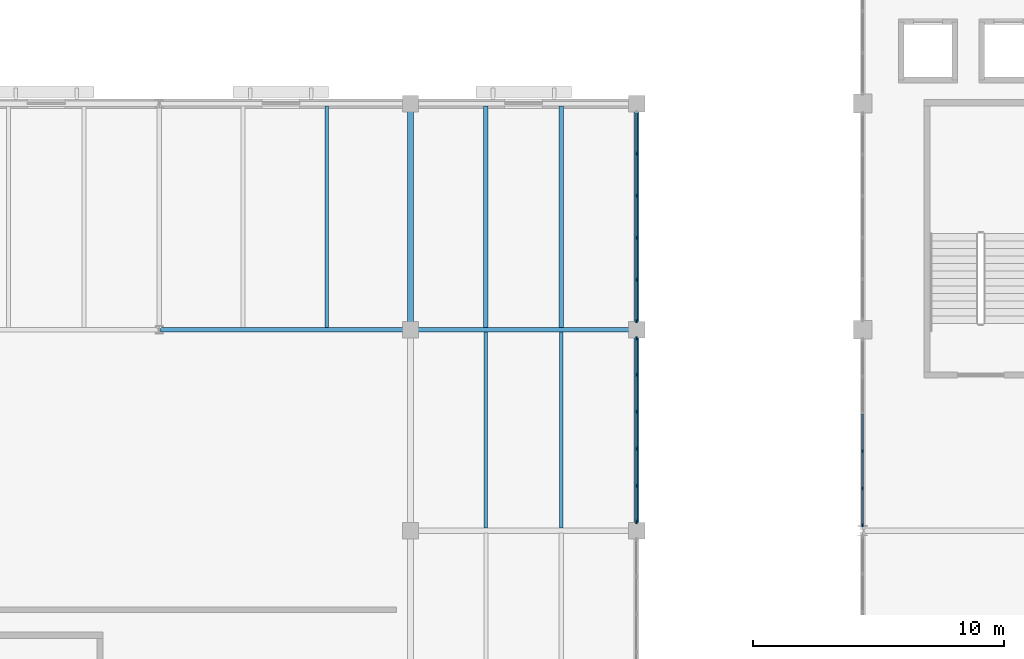
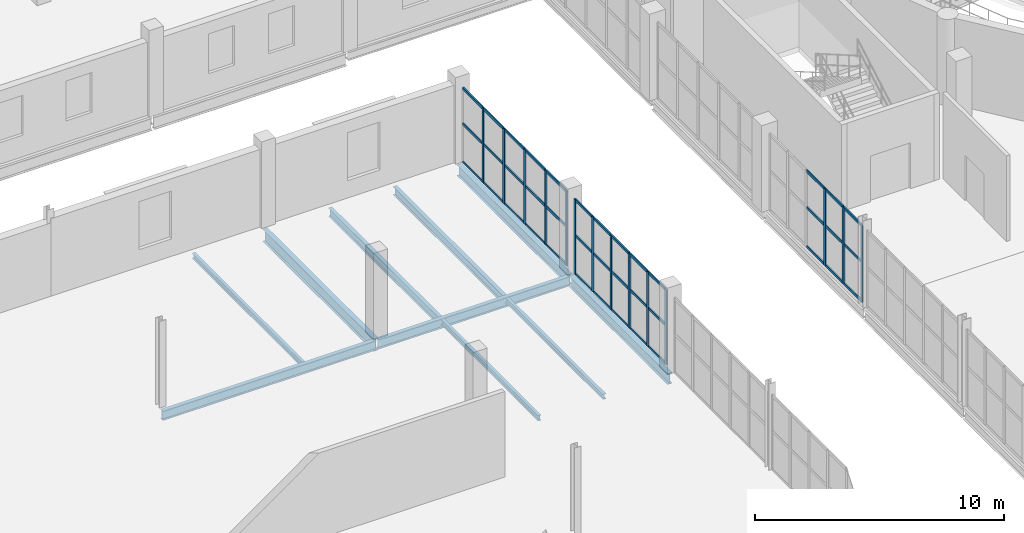
# One storey, part 23 of 85: 53 members, 10 beams, 3 elements without a shape of their own.
"""IFC4 building model written with IfcOpenShell, lengths in metres."""

from ifc_helpers import new_model, si_unit, direction, frame, origin, origin_2d, place, context, subcontext, project, spatial, rectangle, i_section, extrude, material, layer, layer_set, material_profile, profile_set, type_object, element, aggregate, save


model = new_model("IFC4")

# Units and contexts
model_context = context("Model", 3, precision=1e-05, world=origin(), true_north=direction((0.0, 1.0)))
body_context = subcontext(model_context, "Body", "Model", "MODEL_VIEW")
ifc_project = project(units=[si_unit("LENGTHUNIT", "METRE"), si_unit("AREAUNIT", "SQUARE_METRE"), si_unit("VOLUMEUNIT", "CUBIC_METRE"), si_unit("PLANEANGLEUNIT", "RADIAN"), si_unit("MASSUNIT", "GRAM", prefix="KILO")], contexts=[model_context])

# Site, building, storey
site_placement = place(None, origin())
site = spatial("IfcSite", under=ifc_project, at=site_placement, CompositionType="ELEMENT")
building_placement = place(site_placement, origin())
building = spatial("IfcBuilding", under=site, at=building_placement, Name="Marnock Terrace Opera House", CompositionType="ELEMENT")
storey_placement = place(building_placement, frame((0.0, 0.0, 10.199951171875)))
storey = spatial("IfcBuildingStorey", under=building, at=storey_placement, Name="L02", CompositionType="ELEMENT", Elevation=10.199951171875)

# Beams
ifc_material_1 = material(Name="Steel Grade 350 (AS/NZS 3679.1)", Category="steel")
ifc_material_profile_1 = material_profile(ifc_material_1, i_section(OverallWidth=0.19091796875, OverallDepth=0.46044921875, WebThickness=0.010009765625, FlangeThickness=0.01611328125, FilletRadius=0.011474609375, at=origin_2d()))
ifc_profile_set_1 = profile_set([ifc_material_profile_1], Name="Steel Grade 350 (AS/NZS 3679.1)")
beam_type_1 = type_object("IfcBeamType", Name="BM-GIRD-460A", PredefinedType="BEAM", material=ifc_profile_set_1)
beam_1_placement = place(storey_placement, frame((27.050048828125, 48.0, -0.490234375), z_axis=(1.0, 0.0, 0.0), x_axis=(0.0, 1.0, 0.0)))
element("IfcBeam", 1, at=beam_1_placement, inside=storey, type_object=beam_type_1, Name="L02 girder (27.0..37.0, Y=48.0)", PredefinedType="BEAM", context=body_context, shape_type="SweptSolid", body=[
    extrude(i_section(OverallWidth=0.19091796875, OverallDepth=0.46044921875, WebThickness=0.010009765625, FlangeThickness=0.01611328125, FilletRadius=0.011474609375, at=origin_2d()), origin(), (0.0, 0.0, 1.0), 9.89990234375),
])
beam_2_placement = place(storey_placement, frame((37.050048828125, 48.0, -0.490234375), z_axis=(1.0, 0.0, 0.0), x_axis=(0.0, 1.0, 0.0)))
element("IfcBeam", 2, at=beam_2_placement, inside=storey, type_object=beam_type_1, Name="L02 girder (37.0..46.0, Y=48.0)", PredefinedType="BEAM", context=body_context, shape_type="SweptSolid", body=[
    extrude(i_section(OverallWidth=0.19091796875, OverallDepth=0.46044921875, WebThickness=0.010009765625, FlangeThickness=0.01611328125, FilletRadius=0.011474609375, at=origin_2d()), origin(), (0.0, 0.0, 1.0), 8.89990234375),
])
ifc_material_profile_2 = material_profile(ifc_material_1, i_section(OverallWidth=0.208984375, OverallDepth=0.528076171875, WebThickness=0.009521484375, FlangeThickness=0.01318359375, FilletRadius=0.013916015625, at=origin_2d()))
ifc_profile_set_2 = profile_set([ifc_material_profile_2], Name="Steel Grade 350 (AS/NZS 3679.1)")
beam_type_2 = type_object("IfcBeamType", Name="BM-GIRD-530B", PredefinedType="BEAM", material=ifc_profile_set_2)
beam_3_placement = place(storey_placement, frame((46.0, 40.050048828125, -0.52392578125), z_axis=(0.0, 1.0, 0.0), x_axis=(-1.0, 0.0, 0.0)))
element("IfcBeam", 3, at=beam_3_placement, inside=storey, type_object=beam_type_2, Name="L02 girder (X=46.0, 40.0..48.0)", PredefinedType="BEAM", context=body_context, shape_type="SweptSolid", body=[
    extrude(i_section(OverallWidth=0.208984375, OverallDepth=0.528076171875, WebThickness=0.009521484375, FlangeThickness=0.01318359375, FilletRadius=0.013916015625, at=origin_2d()), origin(), (0.0, 0.0, 1.0), 7.89990234375),
])
beam_4_placement = place(storey_placement, frame((46.0, 48.050048828125, -0.52392578125), z_axis=(0.0, 1.0, 0.0), x_axis=(-1.0, 0.0, 0.0)))
element("IfcBeam", 4, at=beam_4_placement, inside=storey, type_object=beam_type_2, Name="L02 girder (X=46.0, 48.0..57.0)", PredefinedType="BEAM", context=body_context, shape_type="SweptSolid", body=[
    extrude(i_section(OverallWidth=0.208984375, OverallDepth=0.528076171875, WebThickness=0.009521484375, FlangeThickness=0.01318359375, FilletRadius=0.013916015625, at=origin_2d()), origin(), (0.0, 0.0, 1.0), 8.89990234375),
])
ifc_material_profile_3 = material_profile(ifc_material_1, i_section(OverallWidth=0.22802734375, OverallDepth=0.60205078125, WebThickness=0.010498046875, FlangeThickness=0.014892578125, FilletRadius=0.013916015625, at=origin_2d()))
ifc_profile_set_3 = profile_set([ifc_material_profile_3], Name="Steel Grade 350 (AS/NZS 3679.1)")
beam_type_3 = type_object("IfcBeamType", Name="BM-GIRD-610C", PredefinedType="BEAM", material=ifc_profile_set_3)
beam_5_placement = place(storey_placement, frame((37.0, 48.050048828125, -0.56103515625), z_axis=(0.0, 1.0, 0.0), x_axis=(-1.0, 0.0, 0.0)))
element("IfcBeam", 5, at=beam_5_placement, inside=storey, type_object=beam_type_3, Name="L02 girder (X=37.0, 48.0..57.0)", PredefinedType="BEAM", context=body_context, shape_type="SweptSolid", body=[
    extrude(i_section(OverallWidth=0.22802734375, OverallDepth=0.60205078125, WebThickness=0.010498046875, FlangeThickness=0.014892578125, FilletRadius=0.013916015625, at=origin_2d()), origin(), (0.0, 0.0, 1.0), 8.89990234375),
])
ifc_material_profile_4 = material_profile(ifc_material_1, i_section(OverallWidth=0.14599609375, OverallDepth=0.256103515625, WebThickness=0.00634765625, FlangeThickness=0.010986328125, FilletRadius=0.0087890625, at=origin_2d()))
ifc_profile_set_4 = profile_set([ifc_material_profile_4], Name="Steel Grade 350 (AS/NZS 3679.1)")
beam_type_4 = type_object("IfcBeamType", Name="BM-JOIST-250", PredefinedType="JOIST", material=ifc_profile_set_4)
beam_6_placement = place(storey_placement, frame((33.666748046875, 48.090576171875, -0.387939453125), z_axis=(0.0, 1.0, 0.0), x_axis=(-1.0, 0.0, 0.0)))
element("IfcBeam", 6, at=beam_6_placement, inside=storey, type_object=beam_type_4, Name="L02 secondary joist 3.6.2", PredefinedType="JOIST", context=body_context, shape_type="SweptSolid", body=[
    extrude(i_section(OverallWidth=0.14599609375, OverallDepth=0.256103515625, WebThickness=0.00634765625, FlangeThickness=0.010986328125, FilletRadius=0.0087890625, at=origin_2d()), origin(), (0.0, 0.0, 1.0), 8.825439453125),
])
for number, where, z_axis, x_axis, name in (
    (7, (40.0, 40.099609375, -0.387939453125), (0.0, 1.0, 0.0), (-1.0, 0.0, 0.0), "L02 secondary joist 4.5.1"),
    (8, (43.0, 40.099609375, -0.387939453125), (0.0, 1.0, 0.0), (-1.0, 0.0, 0.0), "L02 secondary joist 4.5.2"),
):
    element("IfcBeam", number, at=place(storey_placement, frame(where, z_axis=z_axis, x_axis=x_axis)), inside=storey, type_object=beam_type_4, Name=name, PredefinedType="JOIST", context=body_context, shape_type="SweptSolid", body=[
        extrude(i_section(OverallWidth=0.14599609375, OverallDepth=0.256103515625, WebThickness=0.00634765625, FlangeThickness=0.010986328125, FilletRadius=0.0087890625, at=origin_2d()), origin(), (0.0, 0.0, 1.0), 7.809814453125),
    ])
ifc_material_profile_5 = material_profile(ifc_material_1, i_section(OverallWidth=0.177978515625, OverallDepth=0.406494140625, WebThickness=0.0078125, FlangeThickness=0.0126953125, FilletRadius=0.011474609375, at=origin_2d()))
ifc_profile_set_5 = profile_set([ifc_material_profile_5], Name="Steel Grade 350 (AS/NZS 3679.1)")
beam_type_5 = type_object("IfcBeamType", Name="BM-JOIST-410", PredefinedType="JOIST", material=ifc_profile_set_5)
for number, where, z_axis, x_axis, name in (
    (9, (40.0, 48.090576171875, -0.463134765625), (0.0, 1.0, 0.0), (-1.0, 0.0, 0.0), "L02 secondary joist 4.6.1"),
    (10, (43.0, 48.090576171875, -0.463134765625), (0.0, 1.0, 0.0), (-1.0, 0.0, 0.0), "L02 secondary joist 4.6.2"),
):
    element("IfcBeam", number, at=place(storey_placement, frame(where, z_axis=z_axis, x_axis=x_axis)), inside=storey, type_object=beam_type_5, Name=name, PredefinedType="JOIST", context=body_context, shape_type="SweptSolid", body=[
        extrude(i_section(OverallWidth=0.177978515625, OverallDepth=0.406494140625, WebThickness=0.0078125, FlangeThickness=0.0126953125, FilletRadius=0.011474609375, at=origin_2d()), origin(), (0.0, 0.0, 1.0), 8.825439453125),
    ])

# Curtain wall, members
ifc_material_2 = material(Name="Anodised architectural bronze aluminium framing", Category="aluminium")
ifc_layer_1 = layer(ifc_material_2, 0.159912109375)
ifc_layer_set_1 = layer_set([ifc_layer_1], Name="Anodised architectural bronze aluminium framing")
curtain_wall_type_1 = type_object("IfcCurtainWallType", Name="CW-FOYER-80x42", PredefinedType="NOTDEFINED", material=ifc_layer_set_1)
curtain_wall_1_placement = place(storey_placement, origin())
curtain_wall_1 = element("IfcCurtainWall", 11, at=curtain_wall_1_placement, inside=storey, type_object=curtain_wall_type_1, Name="L02 glazed Beaux-Arts colonnade curtain wall CW-V1W-L02-05", PredefinedType="NOTDEFINED")
ifc_material_profile_6 = material_profile(ifc_material_2, rectangle(XDim=0.06005859375, YDim=0.14990234375, at=origin_2d()))
ifc_profile_set_6 = profile_set([ifc_material_profile_6], Name="Anodised architectural bronze aluminium framing")
member_type_1 = type_object("IfcMemberType", Name="CWM-60x150", PredefinedType="MULLION", material=ifc_profile_set_6)
member_1_placement = place(storey_placement, frame((55.0, 40.22607421875, 0.0), z_axis=(0.0, 0.0, 1.0), x_axis=(-1.0, 0.0, 0.0)))
member_1 = element("IfcMember", 12, at=member_1_placement, type_object=member_type_1, Name="CW-62 mullion 1", PredefinedType="MULLION", context=body_context, shape_type="SweptSolid", body=[
    extrude(rectangle(XDim=0.06005859375, YDim=0.14990234375, at=origin_2d()), origin(), (0.0, 0.0, 1.0), 3.752685546875),
])
member_2_placement = place(storey_placement, frame((55.0, 41.6826171875, 0.0), z_axis=(0.0, 0.0, 1.0), x_axis=(-1.0, 0.0, 0.0)))
member_2 = element("IfcMember", 13, at=member_2_placement, type_object=member_type_1, Name="CW-62 mullion 2", PredefinedType="MULLION", context=body_context, shape_type="SweptSolid", body=[
    extrude(rectangle(XDim=0.06005859375, YDim=0.14990234375, at=origin_2d()), origin(), (0.0, 0.0, 1.0), 3.752685546875),
])
member_3_placement = place(storey_placement, frame((55.0, 43.169189453125, 0.0), z_axis=(0.0, 0.0, 1.0), x_axis=(-1.0, 0.0, 0.0)))
member_3 = element("IfcMember", 14, at=member_3_placement, type_object=member_type_1, Name="CW-62 mullion 3", PredefinedType="MULLION", context=body_context, shape_type="SweptSolid", body=[
    extrude(rectangle(XDim=0.06005859375, YDim=0.14990234375, at=origin_2d()), origin(), (0.0, 0.0, 1.0), 3.752685546875),
])

ifc_layer_2 = layer(ifc_material_2, 0.159912109375)
ifc_layer_set_2 = layer_set([ifc_layer_2], Name="Anodised architectural bronze aluminium framing")
curtain_wall_type_2 = type_object("IfcCurtainWallType", Name="CW-COURT-80x42", PredefinedType="NOTDEFINED", material=ifc_layer_set_2)
curtain_wall_2_placement = place(storey_placement, origin())
curtain_wall_2 = element("IfcCurtainWall", 15, at=curtain_wall_2_placement, inside=storey, type_object=curtain_wall_type_2, Name="L02 glazed Beaux-Arts colonnade curtain wall CW-V3E-L02-05", PredefinedType="NOTDEFINED")
member_4_placement = place(storey_placement, frame((46.0, 40.35107421875, 0.0), z_axis=(0.0, 0.0, 1.0), x_axis=(-1.0, 0.0, 0.0)))
member_4 = element("IfcMember", 16, at=member_4_placement, type_object=member_type_1, Name="CW-12 mullion 1", PredefinedType="MULLION", context=body_context, shape_type="SweptSolid", body=[
    extrude(rectangle(XDim=0.06005859375, YDim=0.14990234375, at=origin_2d()), origin(), (0.0, 0.0, 1.0), 3.672119140625),
])
member_5_placement = place(storey_placement, frame((46.0, 41.79248046875, 0.0), z_axis=(0.0, 0.0, 1.0), x_axis=(-1.0, 0.0, 0.0)))
member_5 = element("IfcMember", 17, at=member_5_placement, type_object=member_type_1, Name="CW-12 mullion 2", PredefinedType="MULLION", context=body_context, shape_type="SweptSolid", body=[
    extrude(rectangle(XDim=0.06005859375, YDim=0.14990234375, at=origin_2d()), origin(), (0.0, 0.0, 1.0), 3.672119140625),
])
member_6_placement = place(storey_placement, frame((46.0, 43.26416015625, 0.0), z_axis=(0.0, 0.0, 1.0), x_axis=(-1.0, 0.0, 0.0)))
member_6 = element("IfcMember", 18, at=member_6_placement, type_object=member_type_1, Name="CW-12 mullion 3", PredefinedType="MULLION", context=body_context, shape_type="SweptSolid", body=[
    extrude(rectangle(XDim=0.06005859375, YDim=0.14990234375, at=origin_2d()), origin(), (0.0, 0.0, 1.0), 3.672119140625),
])
member_7_placement = place(storey_placement, frame((46.0, 44.73583984375, 0.0), z_axis=(0.0, 0.0, 1.0), x_axis=(-1.0, 0.0, 0.0)))
member_7 = element("IfcMember", 19, at=member_7_placement, type_object=member_type_1, Name="CW-12 mullion 4", PredefinedType="MULLION", context=body_context, shape_type="SweptSolid", body=[
    extrude(rectangle(XDim=0.06005859375, YDim=0.14990234375, at=origin_2d()), origin(), (0.0, 0.0, 1.0), 3.672119140625),
])
member_8_placement = place(storey_placement, frame((46.0, 46.20751953125, 0.0), z_axis=(0.0, 0.0, 1.0), x_axis=(-1.0, 0.0, 0.0)))
member_8 = element("IfcMember", 20, at=member_8_placement, type_object=member_type_1, Name="CW-12 mullion 5", PredefinedType="MULLION", context=body_context, shape_type="SweptSolid", body=[
    extrude(rectangle(XDim=0.06005859375, YDim=0.14990234375, at=origin_2d()), origin(), (0.0, 0.0, 1.0), 3.672119140625),
])
member_9_placement = place(storey_placement, frame((46.0, 47.64892578125, 0.0), z_axis=(0.0, 0.0, 1.0), x_axis=(-1.0, 0.0, 0.0)))
member_9 = element("IfcMember", 21, at=member_9_placement, type_object=member_type_1, Name="CW-12 mullion 6", PredefinedType="MULLION", context=body_context, shape_type="SweptSolid", body=[
    extrude(rectangle(XDim=0.06005859375, YDim=0.14990234375, at=origin_2d()), origin(), (0.0, 0.0, 1.0), 3.672119140625),
])

curtain_wall_3_placement = place(storey_placement, origin())
curtain_wall_3 = element("IfcCurtainWall", 22, at=curtain_wall_3_placement, inside=storey, type_object=curtain_wall_type_2, Name="L02 glazed Beaux-Arts colonnade curtain wall CW-V3E-L02-06", PredefinedType="NOTDEFINED")
member_10_placement = place(storey_placement, frame((46.0, 48.35107421875, 0.0), z_axis=(0.0, 0.0, 1.0), x_axis=(-1.0, 0.0, 0.0)))
member_10 = element("IfcMember", 23, at=member_10_placement, type_object=member_type_1, Name="CW-12 mullion 1", PredefinedType="MULLION", context=body_context, shape_type="SweptSolid", body=[
    extrude(rectangle(XDim=0.06005859375, YDim=0.14990234375, at=origin_2d()), origin(), (0.0, 0.0, 1.0), 3.672119140625),
])
member_11_placement = place(storey_placement, frame((46.0, 49.99267578125, 0.0), z_axis=(0.0, 0.0, 1.0), x_axis=(-1.0, 0.0, 0.0)))
member_11 = element("IfcMember", 24, at=member_11_placement, type_object=member_type_1, Name="CW-12 mullion 2", PredefinedType="MULLION", context=body_context, shape_type="SweptSolid", body=[
    extrude(rectangle(XDim=0.06005859375, YDim=0.14990234375, at=origin_2d()), origin(), (0.0, 0.0, 1.0), 3.672119140625),
])
member_12_placement = place(storey_placement, frame((46.0, 51.664306640625, 0.0), z_axis=(0.0, 0.0, 1.0), x_axis=(-1.0, 0.0, 0.0)))
member_12 = element("IfcMember", 25, at=member_12_placement, type_object=member_type_1, Name="CW-12 mullion 3", PredefinedType="MULLION", context=body_context, shape_type="SweptSolid", body=[
    extrude(rectangle(XDim=0.06005859375, YDim=0.14990234375, at=origin_2d()), origin(), (0.0, 0.0, 1.0), 3.672119140625),
])
member_13_placement = place(storey_placement, frame((46.0, 53.335693359375, 0.0), z_axis=(0.0, 0.0, 1.0), x_axis=(-1.0, 0.0, 0.0)))
member_13 = element("IfcMember", 26, at=member_13_placement, type_object=member_type_1, Name="CW-12 mullion 4", PredefinedType="MULLION", context=body_context, shape_type="SweptSolid", body=[
    extrude(rectangle(XDim=0.06005859375, YDim=0.14990234375, at=origin_2d()), origin(), (0.0, 0.0, 1.0), 3.672119140625),
])
member_14_placement = place(storey_placement, frame((46.0, 55.00732421875, 0.0), z_axis=(0.0, 0.0, 1.0), x_axis=(-1.0, 0.0, 0.0)))
member_14 = element("IfcMember", 27, at=member_14_placement, type_object=member_type_1, Name="CW-12 mullion 5", PredefinedType="MULLION", context=body_context, shape_type="SweptSolid", body=[
    extrude(rectangle(XDim=0.06005859375, YDim=0.14990234375, at=origin_2d()), origin(), (0.0, 0.0, 1.0), 3.672119140625),
])

# Member
ifc_material_profile_7 = material_profile(ifc_material_2, rectangle(XDim=0.06005859375, YDim=0.1298828125, at=origin_2d()))
ifc_profile_set_7 = profile_set([ifc_material_profile_7], Name="Anodised architectural bronze aluminium framing")
member_type_2 = type_object("IfcMemberType", Name="CWT-60x130", PredefinedType="USERDEFINED", material=ifc_profile_set_7)
member_15_placement = place(storey_placement, frame((55.0, 40.256103515625, 0.030029296875), z_axis=(0.0, 1.0, 0.0), x_axis=(-1.0, 0.0, 0.0)))
member_15 = element("IfcMember", 28, at=member_15_placement, type_object=member_type_2, Name="CW-62 transom 1.1", ObjectType="TRANSOM", PredefinedType="USERDEFINED", context=body_context, shape_type="SweptSolid", body=[
    extrude(rectangle(XDim=0.06005859375, YDim=0.1298828125, at=origin_2d()), origin(), (0.0, 0.0, 1.0), 1.396484375),
])

member_16_placement = place(storey_placement, frame((55.0, 40.256103515625, 1.951416015625), z_axis=(0.0, 1.0, 0.0), x_axis=(-1.0, 0.0, 0.0)))
member_16 = element("IfcMember", 29, at=member_16_placement, type_object=member_type_2, Name="CW-62 transom 1.2", ObjectType="TRANSOM", PredefinedType="USERDEFINED", context=body_context, shape_type="SweptSolid", body=[
    extrude(rectangle(XDim=0.06005859375, YDim=0.1298828125, at=origin_2d()), origin(), (0.0, 0.0, 1.0), 1.396484375),
])

member_17_placement = place(storey_placement, frame((55.0, 40.256103515625, 3.72265625), z_axis=(0.0, 1.0, 0.0), x_axis=(-1.0, 0.0, 0.0)))
member_17 = element("IfcMember", 30, at=member_17_placement, type_object=member_type_2, Name="CW-62 transom 1.3", ObjectType="TRANSOM", PredefinedType="USERDEFINED", context=body_context, shape_type="SweptSolid", body=[
    extrude(rectangle(XDim=0.06005859375, YDim=0.1298828125, at=origin_2d()), origin(), (0.0, 0.0, 1.0), 1.396484375),
])

member_18_placement = place(storey_placement, frame((55.0, 41.712646484375, 0.030029296875), z_axis=(0.0, 1.0, 0.0), x_axis=(-1.0, 0.0, 0.0)))
member_18 = element("IfcMember", 31, at=member_18_placement, type_object=member_type_2, Name="CW-62 transom 2.1", ObjectType="TRANSOM", PredefinedType="USERDEFINED", context=body_context, shape_type="SweptSolid", body=[
    extrude(rectangle(XDim=0.06005859375, YDim=0.1298828125, at=origin_2d()), origin(), (0.0, 0.0, 1.0), 1.426513671875),
])

member_19_placement = place(storey_placement, frame((55.0, 41.712646484375, 1.951416015625), z_axis=(0.0, 1.0, 0.0), x_axis=(-1.0, 0.0, 0.0)))
member_19 = element("IfcMember", 32, at=member_19_placement, type_object=member_type_2, Name="CW-62 transom 2.2", ObjectType="TRANSOM", PredefinedType="USERDEFINED", context=body_context, shape_type="SweptSolid", body=[
    extrude(rectangle(XDim=0.06005859375, YDim=0.1298828125, at=origin_2d()), origin(), (0.0, 0.0, 1.0), 1.426513671875),
])

member_20_placement = place(storey_placement, frame((55.0, 41.712646484375, 3.72265625), z_axis=(0.0, 1.0, 0.0), x_axis=(-1.0, 0.0, 0.0)))
member_20 = element("IfcMember", 33, at=member_20_placement, type_object=member_type_2, Name="CW-62 transom 2.3", ObjectType="TRANSOM", PredefinedType="USERDEFINED", context=body_context, shape_type="SweptSolid", body=[
    extrude(rectangle(XDim=0.06005859375, YDim=0.1298828125, at=origin_2d()), origin(), (0.0, 0.0, 1.0), 1.426513671875),
])

member_21_placement = place(storey_placement, frame((55.0, 43.19921875, 0.030029296875), z_axis=(0.0, 1.0, 0.0), x_axis=(-1.0, 0.0, 0.0)))
member_21 = element("IfcMember", 34, at=member_21_placement, type_object=member_type_2, Name="CW-62 transom 3.1", ObjectType="TRANSOM", PredefinedType="USERDEFINED", context=body_context, shape_type="SweptSolid", body=[
    extrude(rectangle(XDim=0.06005859375, YDim=0.1298828125, at=origin_2d()), origin(), (0.0, 0.0, 1.0), 1.426513671875),
])

member_22_placement = place(storey_placement, frame((55.0, 43.19921875, 1.951416015625), z_axis=(0.0, 1.0, 0.0), x_axis=(-1.0, 0.0, 0.0)))
member_22 = element("IfcMember", 35, at=member_22_placement, type_object=member_type_2, Name="CW-62 transom 3.2", ObjectType="TRANSOM", PredefinedType="USERDEFINED", context=body_context, shape_type="SweptSolid", body=[
    extrude(rectangle(XDim=0.06005859375, YDim=0.1298828125, at=origin_2d()), origin(), (0.0, 0.0, 1.0), 1.426513671875),
])

member_23_placement = place(storey_placement, frame((55.0, 43.19921875, 3.72265625), z_axis=(0.0, 1.0, 0.0), x_axis=(-1.0, 0.0, 0.0)))
member_23 = element("IfcMember", 36, at=member_23_placement, type_object=member_type_2, Name="CW-62 transom 3.3", ObjectType="TRANSOM", PredefinedType="USERDEFINED", context=body_context, shape_type="SweptSolid", body=[
    extrude(rectangle(XDim=0.06005859375, YDim=0.1298828125, at=origin_2d()), origin(), (0.0, 0.0, 1.0), 1.426513671875),
])

aggregate(curtain_wall_1, [member_1, member_2, member_3, member_15, member_16, member_17, member_18, member_19, member_20, member_21, member_22, member_23])

member_24_placement = place(storey_placement, frame((46.0, 40.381103515625, 0.030029296875), z_axis=(0.0, 1.0, 0.0), x_axis=(-1.0, 0.0, 0.0)))
member_24 = element("IfcMember", 37, at=member_24_placement, type_object=member_type_2, Name="CW-12 transom 1.1", ObjectType="TRANSOM", PredefinedType="USERDEFINED", context=body_context, shape_type="SweptSolid", body=[
    extrude(rectangle(XDim=0.06005859375, YDim=0.1298828125, at=origin_2d()), origin(), (0.0, 0.0, 1.0), 1.381591796875),
])

member_25_placement = place(storey_placement, frame((46.0, 40.381103515625, 1.909423828125), z_axis=(0.0, 1.0, 0.0), x_axis=(-1.0, 0.0, 0.0)))
member_25 = element("IfcMember", 38, at=member_25_placement, type_object=member_type_2, Name="CW-12 transom 1.2", ObjectType="TRANSOM", PredefinedType="USERDEFINED", context=body_context, shape_type="SweptSolid", body=[
    extrude(rectangle(XDim=0.06005859375, YDim=0.1298828125, at=origin_2d()), origin(), (0.0, 0.0, 1.0), 1.381591796875),
])

member_26_placement = place(storey_placement, frame((46.0, 40.381103515625, 3.64208984375), z_axis=(0.0, 1.0, 0.0), x_axis=(-1.0, 0.0, 0.0)))
member_26 = element("IfcMember", 39, at=member_26_placement, type_object=member_type_2, Name="CW-12 transom 1.3", ObjectType="TRANSOM", PredefinedType="USERDEFINED", context=body_context, shape_type="SweptSolid", body=[
    extrude(rectangle(XDim=0.06005859375, YDim=0.1298828125, at=origin_2d()), origin(), (0.0, 0.0, 1.0), 1.381591796875),
])

member_27_placement = place(storey_placement, frame((46.0, 41.822509765625, 0.030029296875), z_axis=(0.0, 1.0, 0.0), x_axis=(-1.0, 0.0, 0.0)))
member_27 = element("IfcMember", 40, at=member_27_placement, type_object=member_type_2, Name="CW-12 transom 2.1", ObjectType="TRANSOM", PredefinedType="USERDEFINED", context=body_context, shape_type="SweptSolid", body=[
    extrude(rectangle(XDim=0.06005859375, YDim=0.1298828125, at=origin_2d()), origin(), (0.0, 0.0, 1.0), 1.41162109375),
])

member_28_placement = place(storey_placement, frame((46.0, 41.822509765625, 1.909423828125), z_axis=(0.0, 1.0, 0.0), x_axis=(-1.0, 0.0, 0.0)))
member_28 = element("IfcMember", 41, at=member_28_placement, type_object=member_type_2, Name="CW-12 transom 2.2", ObjectType="TRANSOM", PredefinedType="USERDEFINED", context=body_context, shape_type="SweptSolid", body=[
    extrude(rectangle(XDim=0.06005859375, YDim=0.1298828125, at=origin_2d()), origin(), (0.0, 0.0, 1.0), 1.41162109375),
])

member_29_placement = place(storey_placement, frame((46.0, 41.822509765625, 3.64208984375), z_axis=(0.0, 1.0, 0.0), x_axis=(-1.0, 0.0, 0.0)))
member_29 = element("IfcMember", 42, at=member_29_placement, type_object=member_type_2, Name="CW-12 transom 2.3", ObjectType="TRANSOM", PredefinedType="USERDEFINED", context=body_context, shape_type="SweptSolid", body=[
    extrude(rectangle(XDim=0.06005859375, YDim=0.1298828125, at=origin_2d()), origin(), (0.0, 0.0, 1.0), 1.41162109375),
])

member_30_placement = place(storey_placement, frame((46.0, 43.294189453125, 0.030029296875), z_axis=(0.0, 1.0, 0.0), x_axis=(-1.0, 0.0, 0.0)))
member_30 = element("IfcMember", 43, at=member_30_placement, type_object=member_type_2, Name="CW-12 transom 3.1", ObjectType="TRANSOM", PredefinedType="USERDEFINED", context=body_context, shape_type="SweptSolid", body=[
    extrude(rectangle(XDim=0.06005859375, YDim=0.1298828125, at=origin_2d()), origin(), (0.0, 0.0, 1.0), 1.41162109375),
])

member_31_placement = place(storey_placement, frame((46.0, 43.294189453125, 1.909423828125), z_axis=(0.0, 1.0, 0.0), x_axis=(-1.0, 0.0, 0.0)))
member_31 = element("IfcMember", 44, at=member_31_placement, type_object=member_type_2, Name="CW-12 transom 3.2", ObjectType="TRANSOM", PredefinedType="USERDEFINED", context=body_context, shape_type="SweptSolid", body=[
    extrude(rectangle(XDim=0.06005859375, YDim=0.1298828125, at=origin_2d()), origin(), (0.0, 0.0, 1.0), 1.41162109375),
])

member_32_placement = place(storey_placement, frame((46.0, 43.294189453125, 3.64208984375), z_axis=(0.0, 1.0, 0.0), x_axis=(-1.0, 0.0, 0.0)))
member_32 = element("IfcMember", 45, at=member_32_placement, type_object=member_type_2, Name="CW-12 transom 3.3", ObjectType="TRANSOM", PredefinedType="USERDEFINED", context=body_context, shape_type="SweptSolid", body=[
    extrude(rectangle(XDim=0.06005859375, YDim=0.1298828125, at=origin_2d()), origin(), (0.0, 0.0, 1.0), 1.41162109375),
])

member_33_placement = place(storey_placement, frame((46.0, 44.765869140625, 0.030029296875), z_axis=(0.0, 1.0, 0.0), x_axis=(-1.0, 0.0, 0.0)))
member_33 = element("IfcMember", 46, at=member_33_placement, type_object=member_type_2, Name="CW-12 transom 4.1", ObjectType="TRANSOM", PredefinedType="USERDEFINED", context=body_context, shape_type="SweptSolid", body=[
    extrude(rectangle(XDim=0.06005859375, YDim=0.1298828125, at=origin_2d()), origin(), (0.0, 0.0, 1.0), 1.41162109375),
])

member_34_placement = place(storey_placement, frame((46.0, 44.765869140625, 1.909423828125), z_axis=(0.0, 1.0, 0.0), x_axis=(-1.0, 0.0, 0.0)))
member_34 = element("IfcMember", 47, at=member_34_placement, type_object=member_type_2, Name="CW-12 transom 4.2", ObjectType="TRANSOM", PredefinedType="USERDEFINED", context=body_context, shape_type="SweptSolid", body=[
    extrude(rectangle(XDim=0.06005859375, YDim=0.1298828125, at=origin_2d()), origin(), (0.0, 0.0, 1.0), 1.41162109375),
])

member_35_placement = place(storey_placement, frame((46.0, 44.765869140625, 3.64208984375), z_axis=(0.0, 1.0, 0.0), x_axis=(-1.0, 0.0, 0.0)))
member_35 = element("IfcMember", 48, at=member_35_placement, type_object=member_type_2, Name="CW-12 transom 4.3", ObjectType="TRANSOM", PredefinedType="USERDEFINED", context=body_context, shape_type="SweptSolid", body=[
    extrude(rectangle(XDim=0.06005859375, YDim=0.1298828125, at=origin_2d()), origin(), (0.0, 0.0, 1.0), 1.41162109375),
])

member_36_placement = place(storey_placement, frame((46.0, 46.2373046875, 0.030029296875), z_axis=(0.0, 1.0, 0.0), x_axis=(-1.0, 0.0, 0.0)))
member_36 = element("IfcMember", 49, at=member_36_placement, type_object=member_type_2, Name="CW-12 transom 5.1", ObjectType="TRANSOM", PredefinedType="USERDEFINED", context=body_context, shape_type="SweptSolid", body=[
    extrude(rectangle(XDim=0.06005859375, YDim=0.1298828125, at=origin_2d()), origin(), (0.0, 0.0, 1.0), 1.381591796875),
])

member_37_placement = place(storey_placement, frame((46.0, 46.2373046875, 1.909423828125), z_axis=(0.0, 1.0, 0.0), x_axis=(-1.0, 0.0, 0.0)))
member_37 = element("IfcMember", 50, at=member_37_placement, type_object=member_type_2, Name="CW-12 transom 5.2", ObjectType="TRANSOM", PredefinedType="USERDEFINED", context=body_context, shape_type="SweptSolid", body=[
    extrude(rectangle(XDim=0.06005859375, YDim=0.1298828125, at=origin_2d()), origin(), (0.0, 0.0, 1.0), 1.381591796875),
])

member_38_placement = place(storey_placement, frame((46.0, 46.2373046875, 3.64208984375), z_axis=(0.0, 1.0, 0.0), x_axis=(-1.0, 0.0, 0.0)))
member_38 = element("IfcMember", 51, at=member_38_placement, type_object=member_type_2, Name="CW-12 transom 5.3", ObjectType="TRANSOM", PredefinedType="USERDEFINED", context=body_context, shape_type="SweptSolid", body=[
    extrude(rectangle(XDim=0.06005859375, YDim=0.1298828125, at=origin_2d()), origin(), (0.0, 0.0, 1.0), 1.381591796875),
])

aggregate(curtain_wall_2, [member_4, member_5, member_6, member_7, member_8, member_9, member_24, member_25, member_26, member_27, member_28, member_29, member_30, member_31, member_32, member_33, member_34, member_35, member_36, member_37, member_38])

member_39_placement = place(storey_placement, frame((46.0, 48.381103515625, 0.030029296875), z_axis=(0.0, 1.0, 0.0), x_axis=(-1.0, 0.0, 0.0)))
member_39 = element("IfcMember", 52, at=member_39_placement, type_object=member_type_2, Name="CW-12 transom 1.1", ObjectType="TRANSOM", PredefinedType="USERDEFINED", context=body_context, shape_type="SweptSolid", body=[
    extrude(rectangle(XDim=0.06005859375, YDim=0.1298828125, at=origin_2d()), origin(), (0.0, 0.0, 1.0), 1.58154296875),
])

member_40_placement = place(storey_placement, frame((46.0, 48.381103515625, 1.909423828125), z_axis=(0.0, 1.0, 0.0), x_axis=(-1.0, 0.0, 0.0)))
member_40 = element("IfcMember", 53, at=member_40_placement, type_object=member_type_2, Name="CW-12 transom 1.2", ObjectType="TRANSOM", PredefinedType="USERDEFINED", context=body_context, shape_type="SweptSolid", body=[
    extrude(rectangle(XDim=0.06005859375, YDim=0.1298828125, at=origin_2d()), origin(), (0.0, 0.0, 1.0), 1.58154296875),
])

member_41_placement = place(storey_placement, frame((46.0, 48.381103515625, 3.64208984375), z_axis=(0.0, 1.0, 0.0), x_axis=(-1.0, 0.0, 0.0)))
member_41 = element("IfcMember", 54, at=member_41_placement, type_object=member_type_2, Name="CW-12 transom 1.3", ObjectType="TRANSOM", PredefinedType="USERDEFINED", context=body_context, shape_type="SweptSolid", body=[
    extrude(rectangle(XDim=0.06005859375, YDim=0.1298828125, at=origin_2d()), origin(), (0.0, 0.0, 1.0), 1.58154296875),
])

member_42_placement = place(storey_placement, frame((46.0, 50.022705078125, 0.030029296875), z_axis=(0.0, 1.0, 0.0), x_axis=(-1.0, 0.0, 0.0)))
member_42 = element("IfcMember", 55, at=member_42_placement, type_object=member_type_2, Name="CW-12 transom 2.1", ObjectType="TRANSOM", PredefinedType="USERDEFINED", context=body_context, shape_type="SweptSolid", body=[
    extrude(rectangle(XDim=0.06005859375, YDim=0.1298828125, at=origin_2d()), origin(), (0.0, 0.0, 1.0), 1.611572265625),
])

member_43_placement = place(storey_placement, frame((46.0, 50.022705078125, 1.909423828125), z_axis=(0.0, 1.0, 0.0), x_axis=(-1.0, 0.0, 0.0)))
member_43 = element("IfcMember", 56, at=member_43_placement, type_object=member_type_2, Name="CW-12 transom 2.2", ObjectType="TRANSOM", PredefinedType="USERDEFINED", context=body_context, shape_type="SweptSolid", body=[
    extrude(rectangle(XDim=0.06005859375, YDim=0.1298828125, at=origin_2d()), origin(), (0.0, 0.0, 1.0), 1.611572265625),
])

member_44_placement = place(storey_placement, frame((46.0, 50.022705078125, 3.64208984375), z_axis=(0.0, 1.0, 0.0), x_axis=(-1.0, 0.0, 0.0)))
member_44 = element("IfcMember", 57, at=member_44_placement, type_object=member_type_2, Name="CW-12 transom 2.3", ObjectType="TRANSOM", PredefinedType="USERDEFINED", context=body_context, shape_type="SweptSolid", body=[
    extrude(rectangle(XDim=0.06005859375, YDim=0.1298828125, at=origin_2d()), origin(), (0.0, 0.0, 1.0), 1.611572265625),
])

member_45_placement = place(storey_placement, frame((46.0, 51.694091796875, 0.030029296875), z_axis=(0.0, 1.0, 0.0), x_axis=(-1.0, 0.0, 0.0)))
member_45 = element("IfcMember", 58, at=member_45_placement, type_object=member_type_2, Name="CW-12 transom 3.1", ObjectType="TRANSOM", PredefinedType="USERDEFINED", context=body_context, shape_type="SweptSolid", body=[
    extrude(rectangle(XDim=0.06005859375, YDim=0.1298828125, at=origin_2d()), origin(), (0.0, 0.0, 1.0), 1.61181640625),
])

member_46_placement = place(storey_placement, frame((46.0, 51.694091796875, 1.909423828125), z_axis=(0.0, 1.0, 0.0), x_axis=(-1.0, 0.0, 0.0)))
member_46 = element("IfcMember", 59, at=member_46_placement, type_object=member_type_2, Name="CW-12 transom 3.2", ObjectType="TRANSOM", PredefinedType="USERDEFINED", context=body_context, shape_type="SweptSolid", body=[
    extrude(rectangle(XDim=0.06005859375, YDim=0.1298828125, at=origin_2d()), origin(), (0.0, 0.0, 1.0), 1.61181640625),
])

member_47_placement = place(storey_placement, frame((46.0, 51.694091796875, 3.64208984375), z_axis=(0.0, 1.0, 0.0), x_axis=(-1.0, 0.0, 0.0)))
member_47 = element("IfcMember", 60, at=member_47_placement, type_object=member_type_2, Name="CW-12 transom 3.3", ObjectType="TRANSOM", PredefinedType="USERDEFINED", context=body_context, shape_type="SweptSolid", body=[
    extrude(rectangle(XDim=0.06005859375, YDim=0.1298828125, at=origin_2d()), origin(), (0.0, 0.0, 1.0), 1.61181640625),
])

member_48_placement = place(storey_placement, frame((46.0, 53.36572265625, 0.030029296875), z_axis=(0.0, 1.0, 0.0), x_axis=(-1.0, 0.0, 0.0)))
member_48 = element("IfcMember", 61, at=member_48_placement, type_object=member_type_2, Name="CW-12 transom 4.1", ObjectType="TRANSOM", PredefinedType="USERDEFINED", context=body_context, shape_type="SweptSolid", body=[
    extrude(rectangle(XDim=0.06005859375, YDim=0.1298828125, at=origin_2d()), origin(), (0.0, 0.0, 1.0), 1.611572265625),
])

member_49_placement = place(storey_placement, frame((46.0, 53.36572265625, 1.909423828125), z_axis=(0.0, 1.0, 0.0), x_axis=(-1.0, 0.0, 0.0)))
member_49 = element("IfcMember", 62, at=member_49_placement, type_object=member_type_2, Name="CW-12 transom 4.2", ObjectType="TRANSOM", PredefinedType="USERDEFINED", context=body_context, shape_type="SweptSolid", body=[
    extrude(rectangle(XDim=0.06005859375, YDim=0.1298828125, at=origin_2d()), origin(), (0.0, 0.0, 1.0), 1.611572265625),
])

member_50_placement = place(storey_placement, frame((46.0, 53.36572265625, 3.64208984375), z_axis=(0.0, 1.0, 0.0), x_axis=(-1.0, 0.0, 0.0)))
member_50 = element("IfcMember", 63, at=member_50_placement, type_object=member_type_2, Name="CW-12 transom 4.3", ObjectType="TRANSOM", PredefinedType="USERDEFINED", context=body_context, shape_type="SweptSolid", body=[
    extrude(rectangle(XDim=0.06005859375, YDim=0.1298828125, at=origin_2d()), origin(), (0.0, 0.0, 1.0), 1.611572265625),
])

member_51_placement = place(storey_placement, frame((46.0, 55.037353515625, 0.030029296875), z_axis=(0.0, 1.0, 0.0), x_axis=(-1.0, 0.0, 0.0)))
member_51 = element("IfcMember", 64, at=member_51_placement, type_object=member_type_2, Name="CW-12 transom 5.1", ObjectType="TRANSOM", PredefinedType="USERDEFINED", context=body_context, shape_type="SweptSolid", body=[
    extrude(rectangle(XDim=0.06005859375, YDim=0.1298828125, at=origin_2d()), origin(), (0.0, 0.0, 1.0), 1.58154296875),
])

member_52_placement = place(storey_placement, frame((46.0, 55.037353515625, 1.909423828125), z_axis=(0.0, 1.0, 0.0), x_axis=(-1.0, 0.0, 0.0)))
member_52 = element("IfcMember", 65, at=member_52_placement, type_object=member_type_2, Name="CW-12 transom 5.2", ObjectType="TRANSOM", PredefinedType="USERDEFINED", context=body_context, shape_type="SweptSolid", body=[
    extrude(rectangle(XDim=0.06005859375, YDim=0.1298828125, at=origin_2d()), origin(), (0.0, 0.0, 1.0), 1.58154296875),
])

member_53_placement = place(storey_placement, frame((46.0, 55.037353515625, 3.64208984375), z_axis=(0.0, 1.0, 0.0), x_axis=(-1.0, 0.0, 0.0)))
member_53 = element("IfcMember", 66, at=member_53_placement, type_object=member_type_2, Name="CW-12 transom 5.3", ObjectType="TRANSOM", PredefinedType="USERDEFINED", context=body_context, shape_type="SweptSolid", body=[
    extrude(rectangle(XDim=0.06005859375, YDim=0.1298828125, at=origin_2d()), origin(), (0.0, 0.0, 1.0), 1.58154296875),
])

aggregate(curtain_wall_3, [member_10, member_11, member_12, member_13, member_14, member_39, member_40, member_41, member_42, member_43, member_44, member_45, member_46, member_47, member_48, member_49, member_50, member_51, member_52, member_53])

save(model, "model.ifc")
